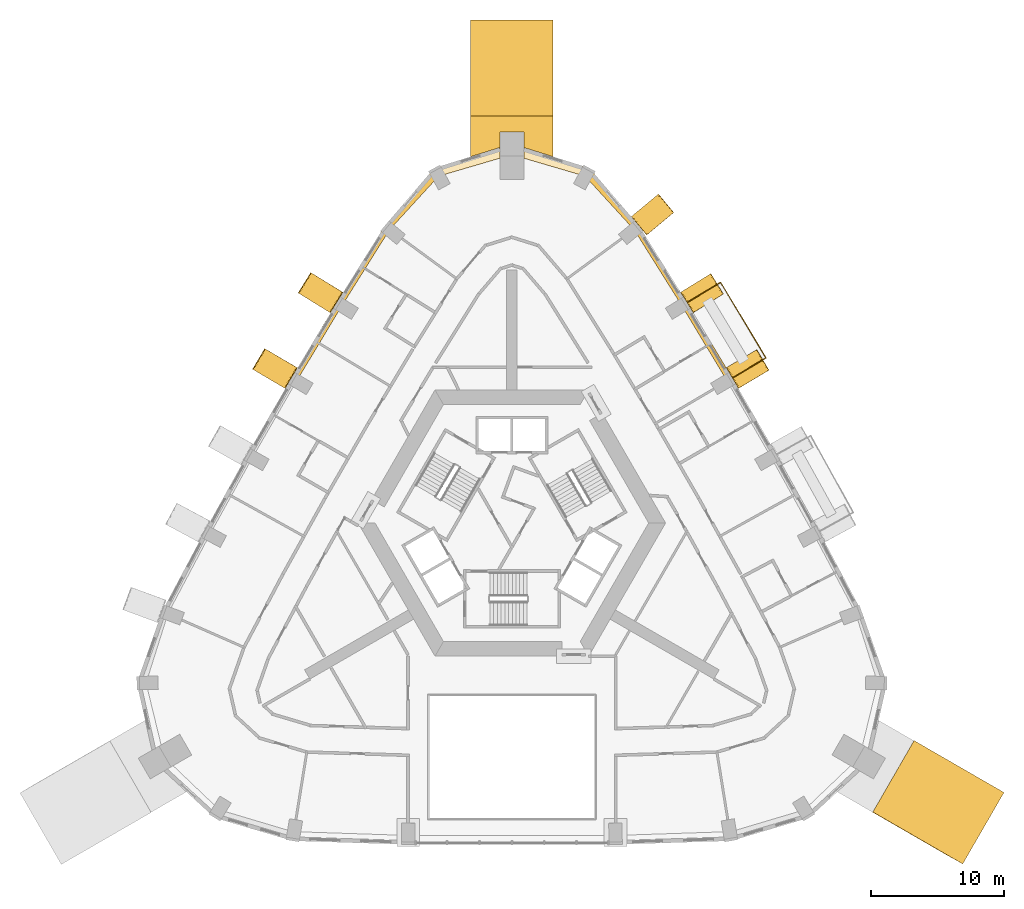
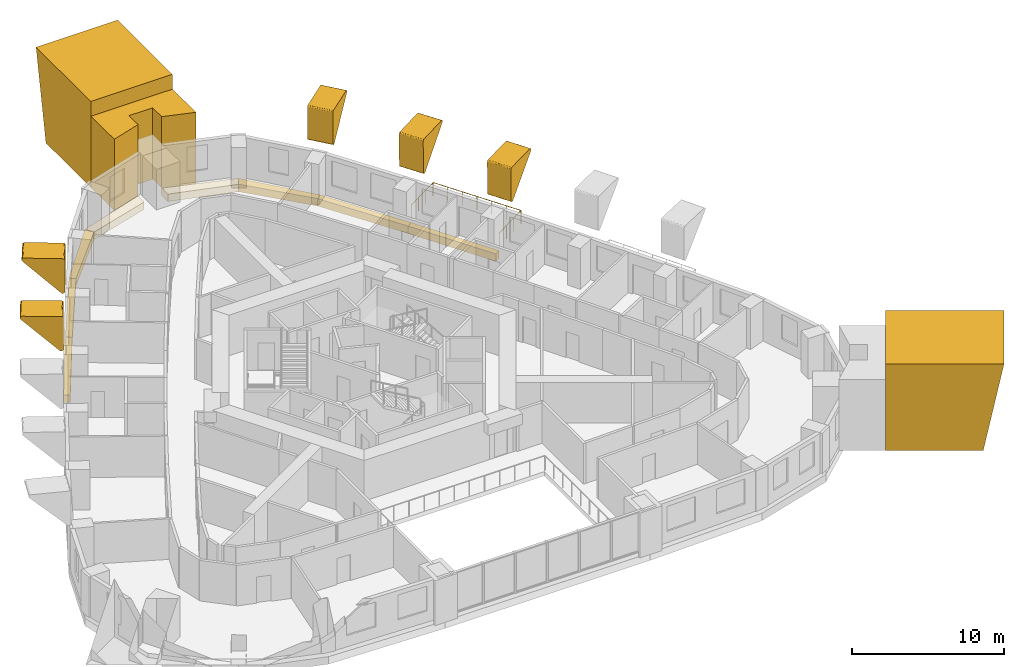
# One storey, part 12 of 12: 16 coverings, 1 railing.
"""IFC4 building model written with IfcOpenShell, lengths in metres."""

from ifc_helpers import new_model, si_unit, direction, frame, origin, origin_2d, place, context, subcontext, project, spatial, polyline, circle, outline, extrude, material, type_object, element, save


model = new_model("IFC4")

# Units and contexts
model_context = context("Model", 3, precision=1e-05, world=origin(), true_north=direction((0.0, 1.0)))
body_context = subcontext(model_context, "Body", "Model", "MODEL_VIEW")
ifc_project = project(units=[si_unit("LENGTHUNIT", "METRE"), si_unit("AREAUNIT", "SQUARE_METRE"), si_unit("VOLUMEUNIT", "CUBIC_METRE"), si_unit("PLANEANGLEUNIT", "RADIAN"), si_unit("MASSUNIT", "GRAM", prefix="KILO")], contexts=[model_context])

# Site, building, storey
site_placement = place(None, origin())
site = spatial("IfcSite", under=ifc_project, at=site_placement, CompositionType="ELEMENT")
building_placement = place(site_placement, origin())
building = spatial("IfcBuilding", under=site, at=building_placement, Name="Entoto Arch Interchange Tower", CompositionType="ELEMENT")
storey_placement = place(building_placement, frame((0.0, 0.0, 273.800048828125)))
storey = spatial("IfcBuildingStorey", under=building, at=storey_placement, Name="L63", CompositionType="ELEMENT", Elevation=273.800048828125)

# Railing
ifc_material_1 = material(Name="Stainless steel 1.4301", Category="steel")
railing_type = type_object("IfcRailingType", Name="GUARD 1100 STEEL AND GLASS", PredefinedType="GUARDRAIL", material=ifc_material_1)
railing_placement = place(storey_placement, frame((16.56201171875, 13.385009765625, 0.0)))
element("IfcRailing", 1, at=railing_placement, inside=storey, type_object=railing_type, Name="Balcony guard NE-04 L63", PredefinedType="GUARDRAIL", context=body_context, shape_type="SweptSolid", body=[
    extrude(circle(Radius=0.02392578125, at=origin_2d()), frame((0.0, 0.0, 1.076171875), z_axis=(0.857251870597, 0.514897300787, 0.0), x_axis=(-0.514897300787, 0.857251870597, 0.0)), (0.0, 0.0, 1.0), 2.9501953125),
    extrude(circle(Radius=0.02392578125, at=origin_2d()), frame((2.529052734375, 1.51904296875, 1.076171875), z_axis=(-0.514891540778, 0.857255330246, 0.0), x_axis=(-0.857255330246, -0.514891540778, 0.0)), (0.0, 0.0, 1.0), 6.62109375),
    extrude(circle(Radius=0.02392578125, at=origin_2d()), frame((-0.880126953125, 7.195068359375, 1.076171875), z_axis=(-0.857229928504, -0.514933830387, 0.0), x_axis=(0.514933830387, -0.857229928504, 0.0)), (0.0, 0.0, 1.0), 2.949951171875),
    extrude(circle(Radius=0.02099609375, at=origin_2d()), origin(), (0.0, 0.0, 1.0), 1.052001953125),
    extrude(circle(Radius=0.02099609375, at=origin_2d()), frame((0.843017578125, 0.50634765625, 0.0)), (0.0, 0.0, 1.0), 1.052001953125),
    extrude(circle(Radius=0.02099609375, at=origin_2d()), frame((1.68603515625, 1.0126953125, 0.0)), (0.0, 0.0, 1.0), 1.052001953125),
    extrude(circle(Radius=0.02099609375, at=origin_2d()), frame((2.529052734375, 1.51904296875, 0.0)), (0.0, 0.0, 1.0), 1.052001953125),
    extrude(circle(Radius=0.02099609375, at=origin_2d()), frame((1.9609375, 2.465087890625, 0.0)), (0.0, 0.0, 1.0), 1.052001953125),
    extrude(circle(Radius=0.02099609375, at=origin_2d()), frame((1.392578125, 3.4111328125, 0.0)), (0.0, 0.0, 1.0), 1.052001953125),
    extrude(circle(Radius=0.02099609375, at=origin_2d()), frame((0.824462890625, 4.35693359375, 0.0)), (0.0, 0.0, 1.0), 1.052001953125),
    extrude(circle(Radius=0.02099609375, at=origin_2d()), frame((0.25634765625, 5.302978515625, 0.0)), (0.0, 0.0, 1.0), 1.052001953125),
    extrude(circle(Radius=0.02099609375, at=origin_2d()), frame((-0.31201171875, 6.2490234375, 0.0)), (0.0, 0.0, 1.0), 1.052001953125),
    extrude(circle(Radius=0.02099609375, at=origin_2d()), frame((-0.880126953125, 7.195068359375, 0.0)), (0.0, 0.0, 1.0), 1.052001953125),
    extrude(circle(Radius=0.02099609375, at=origin_2d()), frame((-1.72314453125, 6.688720703125, 0.0)), (0.0, 0.0, 1.0), 1.052001953125),
    extrude(circle(Radius=0.02099609375, at=origin_2d()), frame((-2.56591796875, 6.182373046875, 0.0)), (0.0, 0.0, 1.0), 1.052001953125),
    extrude(circle(Radius=0.02099609375, at=origin_2d()), frame((-3.408935546875, 5.676025390625, 0.0)), (0.0, 0.0, 1.0), 1.052001953125),
])

# Coverings
ifc_material_2 = material(Name="Board-marked precast concrete C50/60", Category="concrete")
covering_type_1 = type_object("IfcCoveringType", Name="PRECAST FRAME COURSE", PredefinedType="CLADDING", material=ifc_material_2)
covering_1_placement = place(storey_placement, frame((0.0, 0.0, -0.340087890625)))
element("IfcCovering", 2, at=covering_1_placement, inside=storey, type_object=covering_type_1, Name="Corner pilaster N L63-L64", PredefinedType="CLADDING", context=body_context, shape_type="SweptSolid", body=[
    extrude(outline(polyline([(-3.10009765625, 33.087890625), (3.10009765625, 33.087890625), (3.10009765625, 30.01904296875), (0.89990234375, 30.70703125), (0.89990234375, 31.887939453125), (-0.89990234375, 31.887939453125), (-0.89990234375, 30.70703125), (-3.10009765625, 30.01904296875), (-3.10009765625, 33.087890625)])), origin(), (0.0, 0.0, 1.0), 5.739990234375),
])
covering_2_placement = place(storey_placement, frame((27.10498046875, -19.22900390625, -0.340087890625), z_axis=(-0.499981615967, -0.866031008197, 0.002945596183), x_axis=(0.866034765437, -0.499983784792, 9.5475e-08)))
element("IfcCovering", 3, at=covering_2_placement, inside=storey, type_object=covering_type_1, Name="Corner rib SE L63-L64", PredefinedType="CLADDING", context=body_context, shape_type="SweptSolid", body=[
    extrude(outline(polyline([(0.0, 0.0), (6.4326986595619715, 0.0), (7.799821344288085, 6.939970769082947), (-0.0003634425579053697, 6.9399721279744595), (0.0, 0.0)])), origin(), (0.0, 0.0, -1.0), 6.199951171875),
])
covering_3_placement = place(storey_placement, frame((3.10009765625, 33.087890625, -0.340087890625), z_axis=(0.999995423511, 0.0, 0.003025385437), x_axis=(0.0, 1.0, 0.0)))
element("IfcCovering", 4, at=covering_3_placement, inside=storey, type_object=covering_type_1, Name="Corner rib N L63-L64", PredefinedType="CLADDING", context=body_context, shape_type="SweptSolid", body=[
    extrude(outline(polyline([(0.0, 0.0), (5.93798828125, 0.0), (7.2001953125, 6.939973166960804), (0.0, 6.939973166960804), (0.0, 0.0)])), origin(), (0.0, 0.0, -1.0), 6.199951171875),
])
covering_4_placement = place(storey_placement, frame((17.241943359375, 12.740966796875, 3.867919921875), z_axis=(0.508359483442, -0.861138870116, 0.003237587189), x_axis=(-0.677975042006, -0.402544106385, -0.615067544934)))
element("IfcCovering", 5, at=covering_4_placement, inside=storey, type_object=covering_type_1, Name="Fold rib NE04 L63-L64", PredefinedType="CLADDING", context=body_context, shape_type="SweptSolid", body=[
    extrude(outline(polyline([(0.0, 0.0), (0.04365817955324427, 0.0), (0.0862431484599471, -0.014018580712993202), (0.1227113825094592, -0.03875287552414885), (0.1503933726401353, -0.0730413653783752), (0.16668216613880482, -0.11485172029653187), (0.1701158578912424, -0.1593330123428402), (0.1650090045795918, -0.18848025705312513), (0.1473322396727292, -0.22919055304133537), (-1.385091561359153, -2.194262439097341), (-1.4167089276460958, -2.2253339032956365), (-1.442522045996488, -2.239567047234099), (-1.4699158820093345, -2.2485414523284586), (-1.5142020102315485, -2.2520809483786945), (-1.5429651903064006, -2.247293388547292), (-1.5701365705771309, -2.2363182593149062), (-1.595742497000404, -2.2200582276691407), (-3.4737422761903933, -0.7550696287060508), (-3.494818407595395, -0.7349136163505183), (-3.5119497206681713, -0.7113314573854232), (-3.527085042316267, -0.67041862430562), (-3.5308841018239825, -0.64206308984467), (-3.529404625498061, -0.6128752470071195), (-3.5215867313253586, -0.584601456145728), (-3.5089579056403535, -0.5591545986600979), (-3.490880969214233, -0.5351742622181508), (-3.4697845586634095, -0.5160207857225223), (-3.4312592505799473, -0.49529292791452084), (-3.402355677504749, -0.4887319527933205), (0.0, 0.0)])), origin(), (0.0, 0.0, -1.0), 1.800048828125),
])
covering_5_placement = place(storey_placement, frame((13.845947265625, 18.430908203125, 3.868896484375), z_axis=(0.525362028013, -0.850872778576, 0.003202218171), x_axis=(-0.673436242022, -0.418100188772, -0.609652245203)))
element("IfcCovering", 6, at=covering_5_placement, inside=storey, type_object=covering_type_1, Name="Fold rib NE05 L63-L64", PredefinedType="CLADDING", context=body_context, shape_type="SweptSolid", body=[
    extrude(outline(polyline([(0.0, 0.0), (0.0440468062796156, 3.469446951953614e-18), (0.0859727923150467, -0.013148815045694984), (0.12351278239957171, -0.038323335865310566), (0.151423462937026, -0.07242059898822767), (0.1679983645735361, -0.11412158654912974), (0.1720696538989342, -0.15759939647535848), (0.16716010582685037, -0.18678015833062003), (0.15025693089679504, -0.2279874302332304), (-1.3688832037789034, -2.2033473797464356), (-1.4005960289735522, -2.234399050145705), (-1.4264101866541403, -2.248732341225171), (-1.4537366251440265, -2.2578969624679983), (-1.497337104160041, -2.26224707078314), (-1.526538581383495, -2.257345544212518), (-1.5539538215121356, -2.246423760368973), (-1.5788387178335443, -2.230979449471271), (-3.4608996385609743, -0.7834515461179299), (-3.482212353758148, -0.7633627282112734), (-3.4998040957951426, -0.7396685500931048), (-3.5163167083722593, -0.6992495331155921), (-3.5194542855467676, -0.6703505827252789), (-3.5150545763951278, -0.6272221294195495), (-3.504849436449941, -0.5996539798499889), (-3.4899269313804355, -0.5744799568056993), (-3.4700829595480434, -0.5530880659292969), (-3.446611838898418, -0.5360292023488196), (-3.4204291664342388, -0.5232108884324429), (-3.392223836953764, -0.5159495886522059), (0.0, 0.0)])), origin(), (0.0, 0.0, -1.0), 1.800048828125),
])
covering_6_placement = place(storey_placement, frame((10.327880859375, 24.2939453125, 3.8720703125), z_axis=(0.638915780247, -0.769270775113, 0.003016671583), x_axis=(-0.609153664009, -0.50831803415, -0.608723738475)))
element("IfcCovering", 7, at=covering_6_placement, inside=storey, type_object=covering_type_1, Name="Fold rib NE06 L63-L64", PredefinedType="CLADDING", context=body_context, shape_type="SweptSolid", body=[
    extrude(outline(polyline([(0.0, 0.0), (0.04452078447796674, 0.0), (0.08696624549954535, -0.012259012125097786), (0.12369320304011719, -0.036745699321031354), (0.1520974508318665, -0.07115414808333438), (0.16952422085864355, -0.11221934531839695), (0.17326950895690643, -0.15663588670950343), (0.1640496027235253, -0.2000292361241866), (0.15159733432661815, -0.2270942274375278), (-1.3642469738460572, -2.2025254217150043), (-1.3959575292054305, -2.233584569384865), (-1.4209603682858298, -2.248559102465642), (-1.4489912232906457, -2.257209563181402), (-1.49326153534196, -2.261092827502007), (-1.5221181866592646, -2.2564909365763564), (-1.5494665581493552, -2.245661240431405), (-1.5743145369789926, -2.2302914234497573), (-3.4421000076860753, -0.7972198375873054), (-3.463355617072817, -0.7772150509020002), (-3.4804246762188633, -0.7539657480744952), (-3.4969088844466594, -0.7136226608919671), (-3.500496267380221, -0.6844062435459441), (-3.499547459524442, -0.6549776989766498), (-3.485740275941942, -0.6138732937727762), (-3.470956726478316, -0.5885966193496821), (-3.4515854798164165, -0.5668424666133478), (-3.428319360064593, -0.5496132292489309), (-3.402322872625435, -0.5378618776547708), (-3.3742915977714647, -0.5304449944149605), (0.0, 0.0)])), origin(), (0.0, 0.0, -1.0), 1.800048828125),
])
covering_7_placement = place(storey_placement, frame((-12.89697265625, 19.9599609375, 3.848876953125), z_axis=(0.525353743387, 0.850879640938, 0.002698322969), x_axis=(0.685299848574, -0.421236824367, -0.594073779376)))
element("IfcCovering", 8, at=covering_7_placement, inside=storey, type_object=covering_type_1, Name="Fold rib NW02 L63-L64", PredefinedType="CLADDING", context=body_context, shape_type="SweptSolid", body=[
    extrude(outline(polyline([(0.0, 0.0), (0.043563287839740714, -3.469446951953614e-18), (0.08582565872283694, -0.013608160608065134), (0.11040305536533826, -0.028117065581766472), (0.14112776215811215, -0.05961011670061872), (0.1619151867323195, -0.09863542548136975), (0.17057098627601477, -0.1408422065101213), (0.16603448310219837, -0.18483878607117277), (0.14885798958138127, -0.22556858845967398), (-1.340408173133475, -2.243609891104249), (-1.3600867193312558, -2.2651959120450176), (-1.3835297962220885, -2.2824803885684886), (-1.4102293701673994, -2.295237680609392), (-1.4389545008357798, -2.3025520445842607), (-1.4683567829095248, -2.304510301790715), (-1.4971323550500308, -2.30056023315396), (-1.524858381133759, -2.2900988327261356), (-1.5499377063762898, -2.2752205317677503), (-3.6040517746754803, -0.7582005632549731), (-3.6259203494218966, -0.7384091662384353), (-3.6438928350185704, -0.7139078439056585), (-3.6565454912529707, -0.6872629315722119), (-3.664004907691754, -0.659293536227199), (-3.6651160845525244, -0.6299470255987174), (-3.6611889882124293, -0.6003706548115171), (-3.6506748318785647, -0.572323013365271), (-3.635576568606535, -0.547354582865974), (-3.6147391986139437, -0.5254127310417243), (-3.5916269167773827, -0.5075787919168839), (-3.563991778156196, -0.49581700593375233), (-3.535679488129645, -0.48941132671903453), (0.0, 0.0)])), origin(), (0.0, 0.0, -1.0), 1.800048828125),
])
covering_8_placement = place(storey_placement, frame((-16.323974609375, 14.2890625, 3.847900390625), z_axis=(0.508275769817, 0.86119017734, 0.002687056022), x_axis=(0.699296122286, -0.410900563717, -0.584932184183)))
element("IfcCovering", 9, at=covering_8_placement, inside=storey, type_object=covering_type_1, Name="Fold rib NW03 L63-L64", PredefinedType="CLADDING", context=body_context, shape_type="SweptSolid", body=[
    extrude(outline(polyline([(0.0, 0.0), (0.04424317889862124, 3.469446951953614e-18), (0.08625002585621766, -0.012835604910188161), (0.11126663204213856, -0.027262347728515587), (0.14193355876539107, -0.05810846118032268), (0.1633237431485649, -0.09701538886616871), (0.1719852345244598, -0.13998365097564267), (0.16851099945724748, -0.18323300624887204), (0.15180074651450037, -0.22415830816508114), (-1.3150533537120281, -2.2597519743738887), (-1.3346679488688435, -2.281428554026934), (-1.357734494692859, -2.2991056538695687), (-1.3842895166770757, -2.3121622639879895), (-1.4126929566774609, -2.319974178900507), (-1.4427469410563278, -2.3217778870999495), (-1.4715690883661818, -2.318149357429511), (-1.4988312990003745, -2.30842149536776), (-1.5249320816374705, -2.293211725554651), (-3.6023292703694176, -0.7950322585227569), (-3.624249400548482, -0.775610603148895), (-3.64209780039963, -0.7516037392112285), (-3.6546400968801827, -0.7254012682035549), (-3.6629876134866484, -0.6971063879533512), (-3.6645435801895907, -0.667691101362359), (-3.6603682276872505, -0.6372878253646137), (-3.650644528363265, -0.6099865029521285), (-3.6354177318094143, -0.585148596213396), (-3.6154026404088384, -0.5625572351281685), (-3.5913396559140187, -0.5452956848316917), (-3.564927439638831, -0.5324370917425452), (-3.5366939523928065, -0.5257094186815598), (0.0, 0.0)])), origin(), (0.0, 0.0, -1.0), 1.800048828125),
])
covering_type_2 = type_object("IfcCoveringType", Name="PRECAST LEDGE COURSE", PredefinedType="CLADDING", material=ifc_material_2)
covering_9_placement = place(storey_placement, frame((0.0, 0.0, -0.93994140625)))
element("IfcCovering", 10, at=covering_9_placement, inside=storey, type_object=covering_type_2, Name="Precast course NE-04 L63", PredefinedType="CLADDING", context=body_context, shape_type="SweptSolid", body=[
    extrude(outline(polyline([(12.764892578125, 18.822021484375), (13.153076171875, 19.06103515625), (16.56201171875, 13.385009765625), (16.174072265625, 13.155029296875), (12.764892578125, 18.822021484375)])), origin(), (0.0, 0.0, 1.0), 0.599853515625),
])
covering_10_placement = place(storey_placement, frame((0.0, 0.0, -0.93994140625)))
element("IfcCovering", 11, at=covering_10_placement, inside=storey, type_object=covering_type_2, Name="Precast course NE-05 L63", PredefinedType="CLADDING", context=body_context, shape_type="SweptSolid", body=[
    extrude(outline(polyline([(9.19189453125, 24.52099609375), (9.553955078125, 24.821044921875), (13.153076171875, 19.06103515625), (12.764892578125, 18.822021484375), (9.19189453125, 24.52099609375)])), origin(), (0.0, 0.0, 1.0), 0.599853515625),
])
covering_11_placement = place(storey_placement, frame((0.0, 0.0, -0.93994140625)))
element("IfcCovering", 12, at=covering_11_placement, inside=storey, type_object=covering_type_2, Name="Precast course N-01 L63", PredefinedType="CLADDING", context=body_context, shape_type="SweptSolid", body=[
    extrude(outline(polyline([(5.501953125, 28.553955078125), (5.833984375, 29.1640625), (9.553955078125, 24.821044921875), (9.19189453125, 24.52099609375), (5.501953125, 28.553955078125)])), origin(), (0.0, 0.0, 1.0), 0.599853515625),
])
covering_12_placement = place(storey_placement, frame((0.0, 0.0, -0.93994140625)))
element("IfcCovering", 13, at=covering_12_placement, inside=storey, type_object=covering_type_2, Name="Precast course N-02 L63", PredefinedType="CLADDING", context=body_context, shape_type="SweptSolid", body=[
    extrude(outline(polyline([(0.89990234375, 29.903076171875), (0.89990234375, 30.70703125), (5.833984375, 29.1640625), (5.501953125, 28.553955078125), (0.89990234375, 29.903076171875)])), origin(), (0.0, 0.0, 1.0), 0.599853515625),
])
covering_13_placement = place(storey_placement, frame((0.0, 0.0, -0.93994140625)))
element("IfcCovering", 14, at=covering_13_placement, inside=storey, type_object=covering_type_2, Name="Precast course N-03 L63", PredefinedType="CLADDING", context=body_context, shape_type="SweptSolid", body=[
    extrude(outline(polyline([(-5.501953125, 28.553955078125), (-5.833984375, 29.1640625), (-0.89990234375, 30.70703125), (-0.89990234375, 29.903076171875), (-5.501953125, 28.553955078125)])), origin(), (0.0, 0.0, 1.0), 0.599853515625),
])
covering_14_placement = place(storey_placement, frame((0.0, 0.0, -0.93994140625)))
element("IfcCovering", 15, at=covering_14_placement, inside=storey, type_object=covering_type_2, Name="Precast course N-04 L63", PredefinedType="CLADDING", context=body_context, shape_type="SweptSolid", body=[
    extrude(outline(polyline([(-9.19189453125, 24.52099609375), (-9.553955078125, 24.821044921875), (-5.833984375, 29.1640625), (-5.501953125, 28.553955078125), (-9.19189453125, 24.52099609375)])), origin(), (0.0, 0.0, 1.0), 0.599853515625),
])
covering_15_placement = place(storey_placement, frame((0.0, 0.0, -0.93994140625)))
element("IfcCovering", 16, at=covering_15_placement, inside=storey, type_object=covering_type_2, Name="Precast course NW-01 L63", PredefinedType="CLADDING", context=body_context, shape_type="SweptSolid", body=[
    extrude(outline(polyline([(-12.764892578125, 18.822021484375), (-13.153076171875, 19.06103515625), (-9.553955078125, 24.821044921875), (-9.19189453125, 24.52099609375), (-12.764892578125, 18.822021484375)])), origin(), (0.0, 0.0, 1.0), 0.599853515625),
])
covering_16_placement = place(storey_placement, frame((0.0, 0.0, -0.93994140625)))
element("IfcCovering", 17, at=covering_16_placement, inside=storey, type_object=covering_type_2, Name="Precast course NW-02 L63", PredefinedType="CLADDING", context=body_context, shape_type="SweptSolid", body=[
    extrude(outline(polyline([(-16.174072265625, 13.155029296875), (-16.56201171875, 13.385009765625), (-13.153076171875, 19.06103515625), (-12.764892578125, 18.822021484375), (-16.174072265625, 13.155029296875)])), origin(), (0.0, 0.0, 1.0), 0.599853515625),
])

save(model, "model.ifc")
